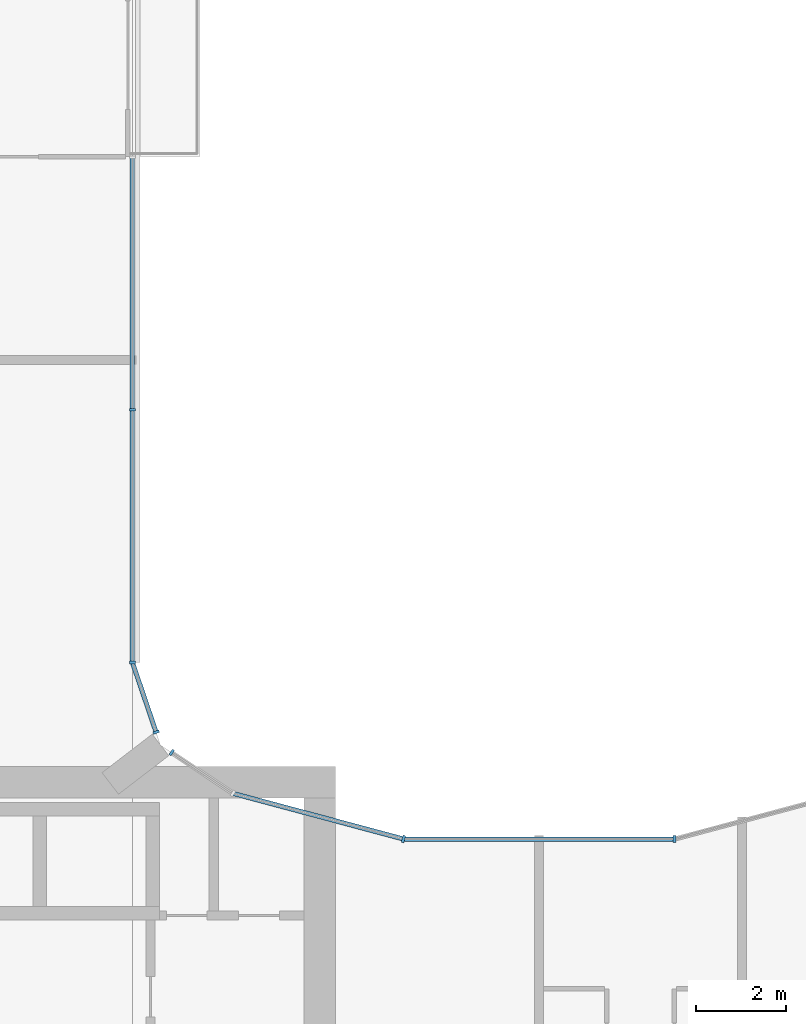
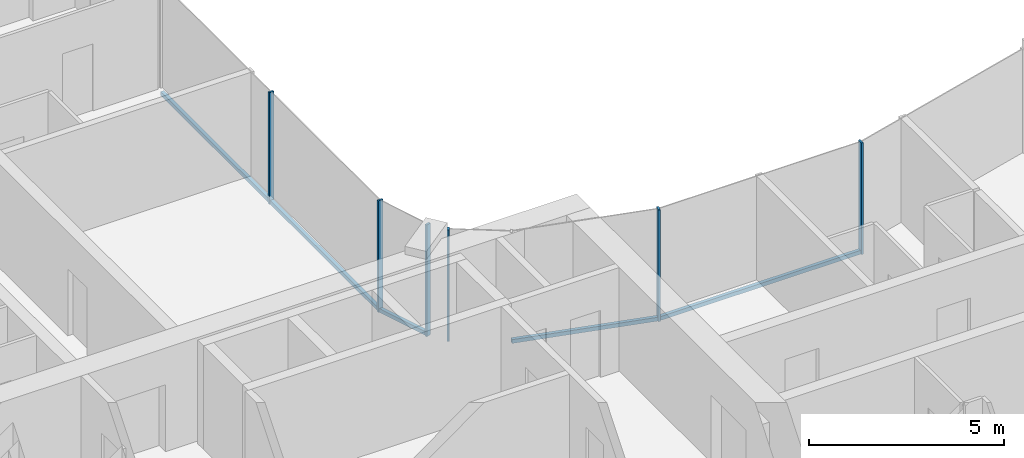
# One storey, part 4 of 22: 10 members, 5 elements without a shape of their own.
"""IFC4 building model written with IfcOpenShell, lengths in metres."""

from ifc_helpers import new_model, si_unit, direction, frame, origin, origin_2d, place, context, subcontext, project, spatial, rectangle, extrude, material, layer, layer_set, material_profile, profile_set, type_object, element, aggregate, save


model = new_model("IFC4")

# Units and contexts
model_context = context("Model", 3, precision=1e-05, world=origin(), true_north=direction((0.0, 1.0)))
body_context = subcontext(model_context, "Body", "Model", "MODEL_VIEW")
ifc_project = project(units=[si_unit("LENGTHUNIT", "METRE"), si_unit("AREAUNIT", "SQUARE_METRE"), si_unit("VOLUMEUNIT", "CUBIC_METRE"), si_unit("PLANEANGLEUNIT", "RADIAN"), si_unit("MASSUNIT", "GRAM", prefix="KILO")], contexts=[model_context])

# Site, building, storey
site_placement = place(None, origin())
site = spatial("IfcSite", under=ifc_project, at=site_placement, CompositionType="ELEMENT")
building_placement = place(site_placement, origin())
building = spatial("IfcBuilding", under=site, at=building_placement, Name="Plateau Cross Towers", CompositionType="ELEMENT")
storey_placement = place(building_placement, frame((0.0, 0.0, 65.300048828125)))
storey = spatial("IfcBuildingStorey", under=building, at=storey_placement, Name="L16", CompositionType="ELEMENT", Elevation=65.300048828125)

# Curtain wall, member
ifc_material_1 = material(Name="Dark low-iron glass", Category="glass")
ifc_layer_1 = layer(ifc_material_1, 0.239990234375)
ifc_layer_set_1 = layer_set([ifc_layer_1], Name="Dark low-iron glass")
curtain_wall_type_1 = type_object("IfcCurtainWallType", Name="Curtain wall flush unitised CW-B", PredefinedType="NOTDEFINED", material=ifc_layer_set_1)
curtain_wall_1_placement = place(storey_placement, origin())
curtain_wall_1 = element("IfcCurtainWall", 1, at=curtain_wall_1_placement, inside=storey, type_object=curtain_wall_type_1, Name="ENV/A/L16/A202_174", PredefinedType="NOTDEFINED")
ifc_material_2 = material(Name="Black anodised aluminium", Category="aluminium")
ifc_material_profile_1 = material_profile(ifc_material_2, rectangle(XDim=0.06005859375, YDim=0.139892578125, at=origin_2d()), Name="MULLION 60x140")
ifc_profile_set_1 = profile_set([ifc_material_profile_1], Name="Black anodised aluminium")
member_type_1 = type_object("IfcMemberType", Name="Mullion 60x140 flush unitised", PredefinedType="MULLION", material=ifc_profile_set_1)
member_1_placement = place(storey_placement, frame((18.86962890625, 18.30908203125, -0.25), z_axis=(0.0, 0.0, 1.0), x_axis=(-0.831521253329, 0.555492938984, 0.0)))
member_1 = element("IfcMember", 2, at=member_1_placement, type_object=member_type_1, Name="CW-B mullion 2", PredefinedType="MULLION", context=body_context, shape_type="SweptSolid", body=[
    extrude(rectangle(XDim=0.06005859375, YDim=0.139892578125, at=origin_2d()), origin(), (0.0, 0.0, 1.0), 3.5),
])
aggregate(curtain_wall_1, [member_1])

curtain_wall_2_placement = place(storey_placement, origin())
curtain_wall_2 = element("IfcCurtainWall", 3, at=curtain_wall_2_placement, inside=storey, type_object=curtain_wall_type_1, Name="ENV/A/L16/A185_188", PredefinedType="NOTDEFINED")
member_2_placement = place(storey_placement, frame((18.523681640625, 18.760009765625, -0.25), z_axis=(0.0, 0.0, 1.0), x_axis=(-0.321469161574, 0.94692004845, 0.0)))
member_2 = element("IfcMember", 4, at=member_2_placement, type_object=member_type_1, Name="CW-B mullion 1", PredefinedType="MULLION", context=body_context, shape_type="SweptSolid", body=[
    extrude(rectangle(XDim=0.06005859375, YDim=0.139892578125, at=origin_2d()), origin(), (0.0, 0.0, 1.0), 3.5),
])

# Curtain wall, members
curtain_wall_3_placement = place(storey_placement, origin())
curtain_wall_3 = element("IfcCurtainWall", 5, at=curtain_wall_3_placement, inside=storey, type_object=curtain_wall_type_1, Name="ENV/A/L16/A180_203", PredefinedType="NOTDEFINED")
member_3_placement = place(storey_placement, frame((18.0, 20.30224609375, -0.25), z_axis=(0.0, 0.0, 1.0), x_axis=(0.0, 1.0, 0.0)))
member_3 = element("IfcMember", 6, at=member_3_placement, type_object=member_type_1, Name="CW-B mullion 1", PredefinedType="MULLION", context=body_context, shape_type="SweptSolid", body=[
    extrude(rectangle(XDim=0.06005859375, YDim=0.139892578125, at=origin_2d()), origin(), (0.0, 0.0, 1.0), 3.5),
])
member_4_placement = place(storey_placement, frame((18.0, 25.896240234375, -0.25), z_axis=(0.0, 0.0, 1.0), x_axis=(0.0, 1.0, 0.0)))
member_4 = element("IfcMember", 7, at=member_4_placement, type_object=member_type_1, Name="CW-B mullion 2", PredefinedType="MULLION", context=body_context, shape_type="SweptSolid", body=[
    extrude(rectangle(XDim=0.06005859375, YDim=0.139892578125, at=origin_2d()), origin(), (0.0, 0.0, 1.0), 3.5),
])

# Curtain wall, member
ifc_layer_2 = layer(ifc_material_1, 0.260009765625)
ifc_layer_set_2 = layer_set([ifc_layer_2], Name="Dark low-iron glass")
curtain_wall_type_2 = type_object("IfcCurtainWallType", Name="Curtain wall fluted unitised CW-A", PredefinedType="NOTDEFINED", material=ifc_layer_set_2)
curtain_wall_4_placement = place(storey_placement, origin())
curtain_wall_4 = element("IfcCurtainWall", 8, at=curtain_wall_4_placement, inside=storey, type_object=curtain_wall_type_2, Name="ENV/A/L16/A300_164", PredefinedType="NOTDEFINED")
ifc_material_profile_2 = material_profile(ifc_material_2, rectangle(XDim=0.06005859375, YDim=0.159912109375, at=origin_2d()), Name="MULLION 60x160")
ifc_profile_set_2 = profile_set([ifc_material_profile_2], Name="Black anodised aluminium")
member_type_2 = type_object("IfcMemberType", Name="Mullion 60x160 fluted unitised", PredefinedType="MULLION", material=ifc_profile_set_2)
member_5_placement = place(storey_placement, frame((30.0, 16.39306640625, -0.25), z_axis=(0.0, 0.0, 1.0), x_axis=(-1.0, 0.0, 0.0)))
member_5 = element("IfcMember", 9, at=member_5_placement, type_object=member_type_2, Name="CW-A mullion 1", PredefinedType="MULLION", context=body_context, shape_type="SweptSolid", body=[
    extrude(rectangle(XDim=0.06005859375, YDim=0.159912109375, at=origin_2d()), origin(), (0.0, 0.0, 1.0), 3.5),
])

curtain_wall_5_placement = place(storey_placement, origin())
curtain_wall_5 = element("IfcCurtainWall", 10, at=curtain_wall_5_placement, inside=storey, type_object=curtain_wall_type_2, Name="ENV/A/L16/A240_164", PredefinedType="NOTDEFINED")
member_6_placement = place(storey_placement, frame((24.0, 16.39306640625, -0.25), z_axis=(0.0, 0.0, 1.0), x_axis=(-0.965957995816, 0.258698956933, 0.0)))
member_6 = element("IfcMember", 11, at=member_6_placement, type_object=member_type_2, Name="CW-A mullion 1", PredefinedType="MULLION", context=body_context, shape_type="SweptSolid", body=[
    extrude(rectangle(XDim=0.06005859375, YDim=0.159912109375, at=origin_2d()), origin(), (0.0, 0.0, 1.0), 3.5),
])

# Member
ifc_material_profile_3 = material_profile(ifc_material_2, rectangle(XDim=0.10009765625, YDim=0.1201171875, at=origin_2d()), Name="TRANSOM 100x120")
ifc_profile_set_3 = profile_set([ifc_material_profile_3], Name="Black anodised aluminium")
member_type_3 = type_object("IfcMemberType", Name="Transom 100x120 flush unitised", PredefinedType="USERDEFINED", material=ifc_profile_set_3)
member_7_placement = place(storey_placement, frame((18.523681640625, 18.760009765625, -0.18994140625), z_axis=(-0.321529174838, 0.946899672472, 0.0), x_axis=(-0.946899672472, -0.321529174838, 0.0)))
member_7 = element("IfcMember", 12, at=member_7_placement, type_object=member_type_3, Name="CW-B transom", ObjectType="TRANSOM", PredefinedType="USERDEFINED", context=body_context, shape_type="SweptSolid", body=[
    extrude(rectangle(XDim=0.10009765625, YDim=0.1201171875, at=origin_2d()), origin(), (0.0, 0.0, 1.0), 1.628662109375),
])

aggregate(curtain_wall_2, [member_2, member_7])

member_8_placement = place(storey_placement, frame((18.0, 20.30224609375, -0.18994140625), z_axis=(0.0, 1.0, 0.0), x_axis=(-1.0, 0.0, 0.0)))
member_8 = element("IfcMember", 13, at=member_8_placement, type_object=member_type_3, Name="CW-B transom", ObjectType="TRANSOM", PredefinedType="USERDEFINED", context=body_context, shape_type="SweptSolid", body=[
    extrude(rectangle(XDim=0.10009765625, YDim=0.1201171875, at=origin_2d()), origin(), (0.0, 0.0, 1.0), 11.187744140625),
])

aggregate(curtain_wall_3, [member_3, member_4, member_8])

ifc_material_profile_4 = material_profile(ifc_material_2, rectangle(XDim=0.10009765625, YDim=0.1201171875, at=origin_2d()), Name="TRANSOM 100x120")
ifc_profile_set_4 = profile_set([ifc_material_profile_4], Name="Black anodised aluminium")
member_type_4 = type_object("IfcMemberType", Name="Transom 100x120 fluted unitised", PredefinedType="USERDEFINED", material=ifc_profile_set_4)
member_9_placement = place(storey_placement, frame((30.0, 16.39306640625, -0.18994140625), z_axis=(-1.0, 0.0, 0.0), x_axis=(0.0, -1.0, 0.0)))
member_9 = element("IfcMember", 14, at=member_9_placement, type_object=member_type_4, Name="CW-A transom", ObjectType="TRANSOM", PredefinedType="USERDEFINED", context=body_context, shape_type="SweptSolid", body=[
    extrude(rectangle(XDim=0.10009765625, YDim=0.1201171875, at=origin_2d()), origin(), (0.0, 0.0, 1.0), 6.0),
])

aggregate(curtain_wall_4, [member_5, member_9])

member_10_placement = place(storey_placement, frame((24.0, 16.39306640625, -0.18994140625), z_axis=(-0.965962822393, 0.25868093427, 0.0), x_axis=(-0.25868093427, -0.965962822393, 0.0)))
member_10 = element("IfcMember", 15, at=member_10_placement, type_object=member_type_4, Name="CW-A transom", ObjectType="TRANSOM", PredefinedType="USERDEFINED", context=body_context, shape_type="SweptSolid", body=[
    extrude(rectangle(XDim=0.10009765625, YDim=0.1201171875, at=origin_2d()), origin(), (0.0, 0.0, 1.0), 3.9091796875),
])

aggregate(curtain_wall_5, [member_6, member_10])

save(model, "model.ifc")
